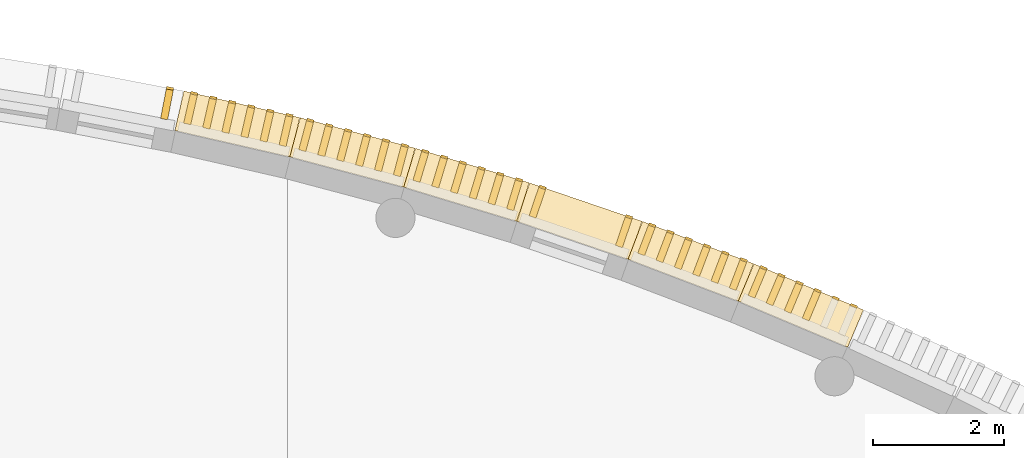
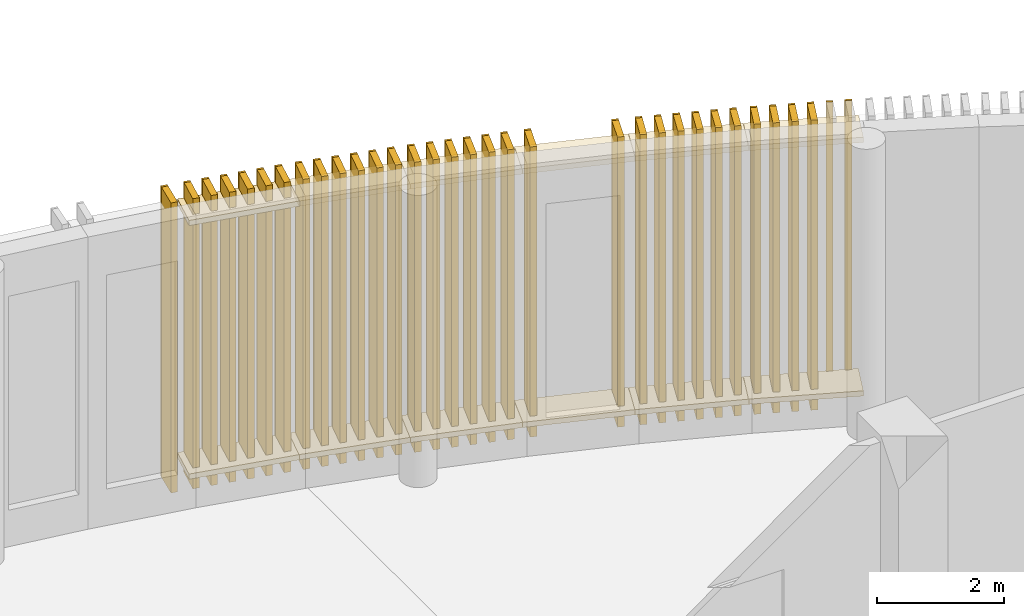
# One storey, part 77 of 80: 45 coverings, 31 shading devices.
"""IFC4 building model written with IfcOpenShell, lengths in metres."""

from ifc_helpers import new_model, si_unit, direction, frame, origin, origin_2d, place, context, subcontext, project, spatial, rectangle, extrude, material, layer, layer_set, type_object, element, save


model = new_model("IFC4")

# Units and contexts
model_context = context("Model", 3, precision=1e-05, world=origin(), true_north=direction((0.0, 1.0)))
body_context = subcontext(model_context, "Body", "Model", "MODEL_VIEW")
ifc_project = project(units=[si_unit("LENGTHUNIT", "METRE"), si_unit("AREAUNIT", "SQUARE_METRE"), si_unit("VOLUMEUNIT", "CUBIC_METRE"), si_unit("PLANEANGLEUNIT", "RADIAN"), si_unit("MASSUNIT", "GRAM", prefix="KILO")], contexts=[model_context])

# Site, building, storey
site_placement = place(None, origin())
site = spatial("IfcSite", under=ifc_project, at=site_placement, CompositionType="ELEMENT")
building_placement = place(site_placement, origin())
building = spatial("IfcBuilding", under=site, at=building_placement, Name="Sardonyx Promenade Sports Hall", CompositionType="ELEMENT")
storey_placement = place(building_placement, frame((0.0, 0.0, 5.60009765625)))
storey = spatial("IfcBuildingStorey", under=building, at=storey_placement, Name="L01", CompositionType="ELEMENT", Elevation=5.60009765625)

# Coverings
ifc_material_1 = material(Name="Glulam GL28h", Category="wood")
ifc_layer = layer(ifc_material_1, 0.110107421875)
ifc_layer_set = layer_set([ifc_layer], Name="Cov_Louvre_GL28h")
covering_type = type_object("IfcCoveringType", Name="Cov_Louvre_GL28h", PredefinedType="MOLDING", material=ifc_layer_set)
covering_placement = place(storey_placement, frame((64.67626953125, 114.89599609375, 0.019775390625), z_axis=(0.0, 0.0, 1.0), x_axis=(0.981929658139, -0.18924625879, 0.0)))
element("IfcCovering", 1, at=covering_placement, inside=storey, type_object=covering_type, Name="Timber louvre nose molding L01 CH20 #2", PredefinedType="MOLDING", context=body_context, shape_type="SweptSolid", body=[
    extrude(rectangle(XDim=0.110107421875, YDim=0.0400390625, at=origin_2d()), origin(), (0.0, 0.0, 1.0), 5.56005859375),
])
for number, where, z_axis, x_axis, name in (
    (2, (65.70751953125, 114.349365234375, 0.31982421875), (0.0, 0.0, 1.0), (0.974791577465, -0.223117414163, 0.0), "Bowed louvre carrier rail L01 CH21 #1"),
    (3, (65.70751953125, 114.349365234375, 5.179931640625), (0.0, 0.0, 1.0), (0.974791577465, -0.223117414163, 0.0), "Bowed louvre carrier rail L01 CH21 #2"),
):
    element("IfcCovering", number, at=place(storey_placement, frame(where, z_axis=z_axis, x_axis=x_axis)), inside=storey, type_object=covering_type, Name=name, PredefinedType="MOLDING", context=body_context, shape_type="SweptSolid", body=[
        extrude(rectangle(XDim=1.820068359375, YDim=0.6201171875, at=origin_2d()), origin(), (0.0, 0.0, 1.0), 0.10009765625),
    ])
for number, where, z_axis, x_axis, name in (
    (4, (65.04541015625, 114.819091796875, 0.019775390625), (0.0, 0.0, 1.0), (0.974791577465, -0.223117414163, 0.0), "Timber louvre nose molding L01 CH21 #1"),
    (5, (65.337890625, 114.751953125, 0.019775390625), (0.0, 0.0, 1.0), (0.974791577465, -0.223117414163, 0.0), "Timber louvre nose molding L01 CH21 #2"),
    (6, (65.63037109375, 114.68505859375, 0.019775390625), (0.0, 0.0, 1.0), (0.974791577465, -0.223117414163, 0.0), "Timber louvre nose molding L01 CH21 #3"),
    (7, (65.9228515625, 114.6181640625, 0.019775390625), (0.0, 0.0, 1.0), (0.974791577465, -0.223117414163, 0.0), "Timber louvre nose molding L01 CH21 #4"),
    (8, (66.21533203125, 114.55126953125, 0.019775390625), (0.0, 0.0, 1.0), (0.974791577465, -0.223117414163, 0.0), "Timber louvre nose molding L01 CH21 #5"),
    (9, (66.5078125, 114.484375, 0.019775390625), (0.0, 0.0, 1.0), (0.974791577465, -0.223117414163, 0.0), "Timber louvre nose molding L01 CH21 #6"),
):
    element("IfcCovering", number, at=place(storey_placement, frame(where, z_axis=z_axis, x_axis=x_axis)), inside=storey, type_object=covering_type, Name=name, PredefinedType="MOLDING", context=body_context, shape_type="SweptSolid", body=[
        extrude(rectangle(XDim=0.110107421875, YDim=0.0400390625, at=origin_2d()), origin(), (0.0, 0.0, 1.0), 5.56005859375),
    ])
for number, where, z_axis, x_axis, name in (
    (10, (67.470703125, 113.91357421875, 0.31982421875), (0.0, 0.0, 1.0), (0.966485494347, -0.256721228607, 0.0), "Bowed louvre carrier rail L01 CH22 #1"),
    (11, (67.470703125, 113.91357421875, 5.179931640625), (0.0, 0.0, 1.0), (0.966485494347, -0.256721228607, 0.0), "Bowed louvre carrier rail L01 CH22 #2"),
):
    element("IfcCovering", number, at=place(storey_placement, frame(where, z_axis=z_axis, x_axis=x_axis)), inside=storey, type_object=covering_type, Name=name, PredefinedType="MOLDING", context=body_context, shape_type="SweptSolid", body=[
        extrude(rectangle(XDim=1.820068359375, YDim=0.6201171875, at=origin_2d()), origin(), (0.0, 0.0, 1.0), 0.10009765625),
    ])
for number, where, z_axis, x_axis, name in (
    (12, (66.825439453125, 114.40576171875, 0.019775390625), (0.0, 0.0, 1.0), (0.966485494347, -0.256721228607, 0.0), "Timber louvre nose molding L01 CH22 #1"),
    (13, (67.115478515625, 114.328857421875, 0.019775390625), (0.0, 0.0, 1.0), (0.966485494347, -0.256721228607, 0.0), "Timber louvre nose molding L01 CH22 #2"),
    (14, (67.4052734375, 114.251708984375, 0.019775390625), (0.0, 0.0, 1.0), (0.966485494347, -0.256721228607, 0.0), "Timber louvre nose molding L01 CH22 #3"),
    (15, (67.6953125, 114.1748046875, 0.019775390625), (0.0, 0.0, 1.0), (0.966485494347, -0.256721228607, 0.0), "Timber louvre nose molding L01 CH22 #4"),
    (16, (67.9853515625, 114.09765625, 0.019775390625), (0.0, 0.0, 1.0), (0.966485494347, -0.256721228607, 0.0), "Timber louvre nose molding L01 CH22 #5"),
    (17, (68.275146484375, 114.020751953125, 0.019775390625), (0.0, 0.0, 1.0), (0.966485494347, -0.256721228607, 0.0), "Timber louvre nose molding L01 CH22 #6"),
):
    element("IfcCovering", number, at=place(storey_placement, frame(where, z_axis=z_axis, x_axis=x_axis)), inside=storey, type_object=covering_type, Name=name, PredefinedType="MOLDING", context=body_context, shape_type="SweptSolid", body=[
        extrude(rectangle(XDim=0.110107421875, YDim=0.0400390625, at=origin_2d()), origin(), (0.0, 0.0, 1.0), 5.56005859375),
    ])
for number, where, z_axis, x_axis, name in (
    (18, (69.2177734375, 113.4169921875, 0.31982421875), (0.0, 0.0, 1.0), (0.957021361193, -0.290017437786, 0.0), "Bowed louvre carrier rail L01 CH23 #1"),
    (19, (69.2177734375, 113.4169921875, 5.179931640625), (0.0, 0.0, 1.0), (0.957021361193, -0.290017437786, 0.0), "Bowed louvre carrier rail L01 CH23 #2"),
):
    element("IfcCovering", number, at=place(storey_placement, frame(where, z_axis=z_axis, x_axis=x_axis)), inside=storey, type_object=covering_type, Name=name, PredefinedType="MOLDING", context=body_context, shape_type="SweptSolid", body=[
        extrude(rectangle(XDim=1.820068359375, YDim=0.6201171875, at=origin_2d()), origin(), (0.0, 0.0, 1.0), 0.10009765625),
    ])
for number, where, z_axis, x_axis, name in (
    (20, (68.590087890625, 113.93115234375, 0.019775390625), (0.0, 0.0, 1.0), (0.957021361193, -0.290017437786, 0.0), "Timber louvre nose molding L01 CH23 #1"),
    (21, (68.877197265625, 113.84423828125, 0.019775390625), (0.0, 0.0, 1.0), (0.957021361193, -0.290017437786, 0.0), "Timber louvre nose molding L01 CH23 #2"),
    (22, (69.164306640625, 113.757080078125, 0.019775390625), (0.0, 0.0, 1.0), (0.957021361193, -0.290017437786, 0.0), "Timber louvre nose molding L01 CH23 #3"),
    (23, (69.451416015625, 113.670166015625, 0.019775390625), (0.0, 0.0, 1.0), (0.957021361193, -0.290017437786, 0.0), "Timber louvre nose molding L01 CH23 #4"),
    (24, (69.738525390625, 113.583251953125, 0.019775390625), (0.0, 0.0, 1.0), (0.957021361193, -0.290017437786, 0.0), "Timber louvre nose molding L01 CH23 #5"),
    (25, (70.025634765625, 113.49609375, 0.019775390625), (0.0, 0.0, 1.0), (0.957021361193, -0.290017437786, 0.0), "Timber louvre nose molding L01 CH23 #6"),
):
    element("IfcCovering", number, at=place(storey_placement, frame(where, z_axis=z_axis, x_axis=x_axis)), inside=storey, type_object=covering_type, Name=name, PredefinedType="MOLDING", context=body_context, shape_type="SweptSolid", body=[
        extrude(rectangle(XDim=0.110107421875, YDim=0.0400390625, at=origin_2d()), origin(), (0.0, 0.0, 1.0), 5.56005859375),
    ])
for number, where, z_axis, x_axis, name in (
    (26, (70.94677734375, 112.8603515625, 0.31982421875), (0.0, 0.0, 1.0), (0.946410517999, -0.322966145935, 0.0), "Bowed louvre carrier rail L01 CH24 #1"),
    (27, (70.94677734375, 112.8603515625, 5.179931640625), (0.0, 0.0, 1.0), (0.946410517999, -0.322966145935, 0.0), "Bowed louvre carrier rail L01 CH24 #2"),
):
    element("IfcCovering", number, at=place(storey_placement, frame(where, z_axis=z_axis, x_axis=x_axis)), inside=storey, type_object=covering_type, Name=name, PredefinedType="MOLDING", context=body_context, shape_type="SweptSolid", body=[
        extrude(rectangle(XDim=1.820068359375, YDim=0.6201171875, at=origin_2d()), origin(), (0.0, 0.0, 1.0), 0.10009765625),
    ])
for number, where, z_axis, x_axis, name in (
    (28, (70.384521484375, 113.379638671875, 0.019775390625), (0.0, 0.0, 1.0), (0.946410517999, -0.322966145935, 0.0), "Timber louvre nose molding L01 CH24 #1"),
    (29, (71.70947265625, 112.927490234375, 0.019775390625), (0.0, 0.0, 1.0), (0.946410517999, -0.322966145935, 0.0), "Timber louvre nose molding L01 CH24 #2"),
):
    element("IfcCovering", number, at=place(storey_placement, frame(where, z_axis=z_axis, x_axis=x_axis)), inside=storey, type_object=covering_type, Name=name, PredefinedType="MOLDING", context=body_context, shape_type="SweptSolid", body=[
        extrude(rectangle(XDim=0.110107421875, YDim=0.0400390625, at=origin_2d()), origin(), (0.0, 0.0, 1.0), 5.56005859375),
    ])
for number, where, z_axis, x_axis, name in (
    (30, (72.6552734375, 112.243896484375, 0.31982421875), (0.0, 0.0, 1.0), (0.934665678755, -0.355527873671, 0.0), "Bowed louvre carrier rail L01 CH25 #1"),
    (31, (72.6552734375, 112.243896484375, 5.179931640625), (0.0, 0.0, 1.0), (0.934665678755, -0.355527873671, 0.0), "Bowed louvre carrier rail L01 CH25 #2"),
):
    element("IfcCovering", number, at=place(storey_placement, frame(where, z_axis=z_axis, x_axis=x_axis)), inside=storey, type_object=covering_type, Name=name, PredefinedType="MOLDING", context=body_context, shape_type="SweptSolid", body=[
        extrude(rectangle(XDim=1.820068359375, YDim=0.6201171875, at=origin_2d()), origin(), (0.0, 0.0, 1.0), 0.10009765625),
    ])
for number, where, z_axis, x_axis, name in (
    (32, (72.064697265625, 112.80029296875, 0.019775390625), (0.0, 0.0, 1.0), (0.934665678755, -0.355527873671, 0.0), "Timber louvre nose molding L01 CH25 #1"),
    (33, (72.344970703125, 112.693603515625, 0.019775390625), (0.0, 0.0, 1.0), (0.934665678755, -0.355527873671, 0.0), "Timber louvre nose molding L01 CH25 #2"),
    (34, (72.62548828125, 112.5869140625, 0.019775390625), (0.0, 0.0, 1.0), (0.934665678755, -0.355527873671, 0.0), "Timber louvre nose molding L01 CH25 #3"),
    (35, (72.90576171875, 112.48046875, 0.019775390625), (0.0, 0.0, 1.0), (0.934665678755, -0.355527873671, 0.0), "Timber louvre nose molding L01 CH25 #4"),
    (36, (73.186279296875, 112.373779296875, 0.019775390625), (0.0, 0.0, 1.0), (0.934665678755, -0.355527873671, 0.0), "Timber louvre nose molding L01 CH25 #5"),
    (37, (73.466552734375, 112.26708984375, 0.019775390625), (0.0, 0.0, 1.0), (0.934665678755, -0.355527873671, 0.0), "Timber louvre nose molding L01 CH25 #6"),
):
    element("IfcCovering", number, at=place(storey_placement, frame(where, z_axis=z_axis, x_axis=x_axis)), inside=storey, type_object=covering_type, Name=name, PredefinedType="MOLDING", context=body_context, shape_type="SweptSolid", body=[
        extrude(rectangle(XDim=0.110107421875, YDim=0.0400390625, at=origin_2d()), origin(), (0.0, 0.0, 1.0), 5.56005859375),
    ])
for number, where, z_axis, x_axis, name in (
    (38, (74.341552734375, 111.56884765625, 0.31982421875), (0.0, 0.0, 1.0), (0.921800239612, -0.387665214136, 0.0), "Bowed louvre carrier rail L01 CH26 #1"),
    (39, (74.341552734375, 111.56884765625, 5.179931640625), (0.0, 0.0, 1.0), (0.921800239612, -0.387665214136, 0.0), "Bowed louvre carrier rail L01 CH26 #2"),
):
    element("IfcCovering", number, at=place(storey_placement, frame(where, z_axis=z_axis, x_axis=x_axis)), inside=storey, type_object=covering_type, Name=name, PredefinedType="MOLDING", context=body_context, shape_type="SweptSolid", body=[
        extrude(rectangle(XDim=1.820068359375, YDim=0.6201171875, at=origin_2d()), origin(), (0.0, 0.0, 1.0), 0.10009765625),
    ])
for number, where, z_axis, x_axis, name in (
    (40, (73.7705078125, 112.1455078125, 0.019775390625), (0.0, 0.0, 1.0), (0.921800239612, -0.387665214136, 0.0), "Timber louvre nose molding L01 CH26 #1"),
    (41, (74.046875, 112.029052734375, 0.019775390625), (0.0, 0.0, 1.0), (0.921800239612, -0.387665214136, 0.0), "Timber louvre nose molding L01 CH26 #2"),
    (42, (74.323486328125, 111.912841796875, 0.019775390625), (0.0, 0.0, 1.0), (0.921800239612, -0.387665214136, 0.0), "Timber louvre nose molding L01 CH26 #3"),
    (43, (74.60009765625, 111.796630859375, 0.019775390625), (0.0, 0.0, 1.0), (0.921800239612, -0.387665214136, 0.0), "Timber louvre nose molding L01 CH26 #4"),
    (44, (74.876708984375, 111.68017578125, 0.019775390625), (0.0, 0.0, 1.0), (0.921800239612, -0.387665214136, 0.0), "Timber louvre nose molding L01 CH26 #5"),
    (45, (75.153076171875, 111.56396484375, 0.019775390625), (0.0, 0.0, 1.0), (0.921800239612, -0.387665214136, 0.0), "Timber louvre nose molding L01 CH26 #6"),
):
    element("IfcCovering", number, at=place(storey_placement, frame(where, z_axis=z_axis, x_axis=x_axis)), inside=storey, type_object=covering_type, Name=name, PredefinedType="MOLDING", context=body_context, shape_type="SweptSolid", body=[
        extrude(rectangle(XDim=0.110107421875, YDim=0.0400390625, at=origin_2d()), origin(), (0.0, 0.0, 1.0), 5.56005859375),
    ])

# Shading devices
ifc_material_2 = material(Name="Glulam GL28h", Category="wood")
shading_device_type_1 = type_object("IfcShadingDeviceType", Name="Shade_Fin_GL28h", PredefinedType="USERDEFINED", material=ifc_material_2)
for number, where, z_axis, x_axis, name in (
    (46, (64.628857, 114.650467, 0.019902), (0.0, 0.0, 1.0), (0.98192966, -0.18924626, 0.0), "Timber fin TF01 L01 CH20 #2"),
    (47, (70.303671, 113.143102, 0.019902), (0.0, 0.0, 1.0), (0.94641052, -0.32296615, 0.0), "Timber fin TF01 L01 CH24 #1"),
    (48, (71.628646, 112.690949, 0.019902), (0.0, 0.0, 1.0), (0.94641052, -0.32296615, 0.0), "Timber fin TF01 L01 CH24 #2"),
):
    element("IfcShadingDevice", number, at=place(storey_placement, frame(where, z_axis=z_axis, x_axis=x_axis)), inside=storey, type_object=shading_device_type_1, material=ifc_material_2, Name=name, ObjectType="FIN", PredefinedType="USERDEFINED", context=body_context, shape_type="SweptSolid", body=[
        extrude(rectangle(XDim=0.11, YDim=0.46), origin(), (0.0, 0.0, 1.0), 5.56),
    ])
shading_device_type_2 = type_object("IfcShadingDeviceType", Name="Shade_Louvre_GL28h", PredefinedType="USERDEFINED", material=ifc_material_2)
for number, where, z_axis, x_axis, name in (
    (49, (64.989752, 114.575296, 0.019902), (0.0, 0.0, 1.0), (0.97479158, -0.22311741, 0.0), "Timber louvre TL01 L01 CH21 #1"),
    (50, (65.28219, 114.508361, 0.019902), (0.0, 0.0, 1.0), (0.97479158, -0.22311741, 0.0), "Timber louvre TL01 L01 CH21 #2"),
    (51, (65.574627, 114.441426, 0.019902), (0.0, 0.0, 1.0), (0.97479158, -0.22311741, 0.0), "Timber louvre TL01 L01 CH21 #3"),
    (52, (65.867064, 114.37449, 0.019902), (0.0, 0.0, 1.0), (0.97479158, -0.22311741, 0.0), "Timber louvre TL01 L01 CH21 #4"),
    (53, (66.159502, 114.307555, 0.019902), (0.0, 0.0, 1.0), (0.97479158, -0.22311741, 0.0), "Timber louvre TL01 L01 CH21 #5"),
    (54, (66.451939, 114.24062, 0.019902), (0.0, 0.0, 1.0), (0.97479158, -0.22311741, 0.0), "Timber louvre TL01 L01 CH21 #6"),
    (55, (66.761277, 114.164159, 0.019902), (0.0, 0.0, 1.0), (0.96648549, -0.25672123, 0.0), "Timber louvre TL01 L01 CH22 #1"),
    (56, (67.051223, 114.087142, 0.019902), (0.0, 0.0, 1.0), (0.96648549, -0.25672123, 0.0), "Timber louvre TL01 L01 CH22 #2"),
    (57, (67.341169, 114.010126, 0.019902), (0.0, 0.0, 1.0), (0.96648549, -0.25672123, 0.0), "Timber louvre TL01 L01 CH22 #3"),
    (58, (67.631114, 113.933109, 0.019902), (0.0, 0.0, 1.0), (0.96648549, -0.25672123, 0.0), "Timber louvre TL01 L01 CH22 #4"),
    (59, (67.92106, 113.856093, 0.019902), (0.0, 0.0, 1.0), (0.96648549, -0.25672123, 0.0), "Timber louvre TL01 L01 CH22 #5"),
    (60, (68.211006, 113.779076, 0.019902), (0.0, 0.0, 1.0), (0.96648549, -0.25672123, 0.0), "Timber louvre TL01 L01 CH22 #6"),
    (61, (68.517512, 113.691955, 0.019902), (0.0, 0.0, 1.0), (0.95702136, -0.29001744, 0.0), "Timber louvre TL01 L01 CH23 #1"),
    (62, (68.804618, 113.604949, 0.019902), (0.0, 0.0, 1.0), (0.95702136, -0.29001744, 0.0), "Timber louvre TL01 L01 CH23 #2"),
    (63, (69.091725, 113.517944, 0.019902), (0.0, 0.0, 1.0), (0.95702136, -0.29001744, 0.0), "Timber louvre TL01 L01 CH23 #3"),
    (64, (69.378831, 113.430939, 0.019902), (0.0, 0.0, 1.0), (0.95702136, -0.29001744, 0.0), "Timber louvre TL01 L01 CH23 #4"),
    (65, (69.665937, 113.343933, 0.019902), (0.0, 0.0, 1.0), (0.95702136, -0.29001744, 0.0), "Timber louvre TL01 L01 CH23 #5"),
    (66, (69.953044, 113.256928, 0.019902), (0.0, 0.0, 1.0), (0.95702136, -0.29001744, 0.0), "Timber louvre TL01 L01 CH23 #6"),
    (67, (71.97571, 112.566684, 0.019902), (0.0, 0.0, 1.0), (0.93466568, -0.35552787, 0.0), "Timber louvre TL01 L01 CH25 #1"),
    (68, (72.25611, 112.460026, 0.019902), (0.0, 0.0, 1.0), (0.93466568, -0.35552787, 0.0), "Timber louvre TL01 L01 CH25 #2"),
    (69, (72.536509, 112.353367, 0.019902), (0.0, 0.0, 1.0), (0.93466568, -0.35552787, 0.0), "Timber louvre TL01 L01 CH25 #3"),
    (70, (72.816909, 112.246709, 0.019902), (0.0, 0.0, 1.0), (0.93466568, -0.35552787, 0.0), "Timber louvre TL01 L01 CH25 #4"),
    (71, (73.097309, 112.14005, 0.019902), (0.0, 0.0, 1.0), (0.93466568, -0.35552787, 0.0), "Timber louvre TL01 L01 CH25 #5"),
    (72, (73.377708, 112.033392, 0.019902), (0.0, 0.0, 1.0), (0.93466568, -0.35552787, 0.0), "Timber louvre TL01 L01 CH25 #6"),
    (73, (73.673532, 111.914965, 0.019902), (0.0, 0.0, 1.0), (0.92180024, -0.38766521, 0.0), "Timber louvre TL01 L01 CH26 #1"),
    (74, (73.950072, 111.798666, 0.019902), (0.0, 0.0, 1.0), (0.92180024, -0.38766521, 0.0), "Timber louvre TL01 L01 CH26 #2"),
    (75, (74.226612, 111.682367, 0.019902), (0.0, 0.0, 1.0), (0.92180024, -0.38766521, 0.0), "Timber louvre TL01 L01 CH26 #3"),
    (76, (74.503152, 111.566067, 0.019902), (0.0, 0.0, 1.0), (0.92180024, -0.38766521, 0.0), "Timber louvre TL01 L01 CH26 #4"),
):
    element("IfcShadingDevice", number, at=place(storey_placement, frame(where, z_axis=z_axis, x_axis=x_axis)), inside=storey, type_object=shading_device_type_2, material=ifc_material_2, Name=name, ObjectType="LOUVRE", PredefinedType="USERDEFINED", context=body_context, shape_type="SweptSolid", body=[
        extrude(rectangle(XDim=0.11, YDim=0.46), origin(), (0.0, 0.0, 1.0), 5.56),
    ])

save(model, "model.ifc")
